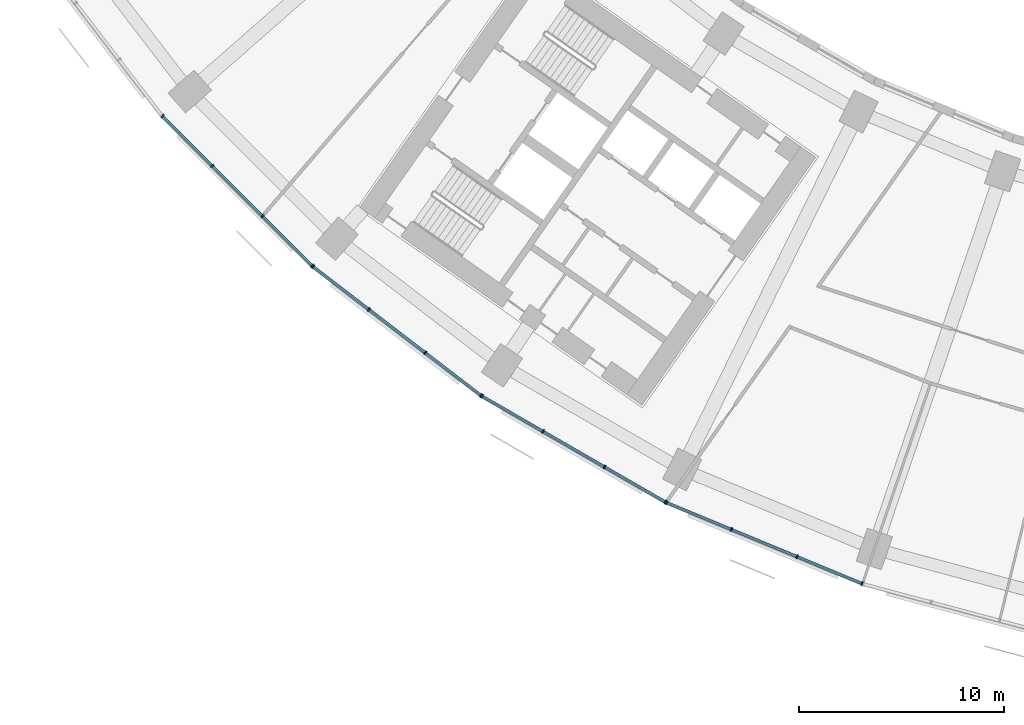
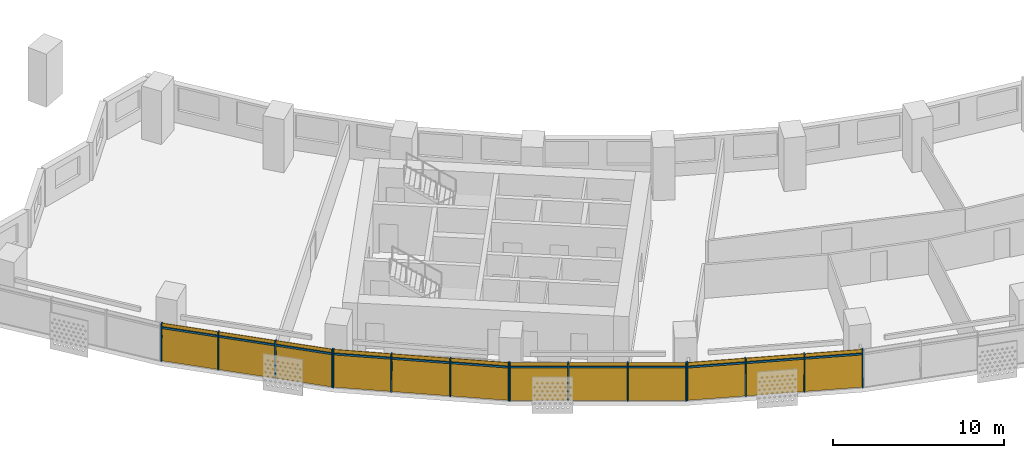
# One storey, part 18 of 31: 28 members, 4 curtain walls.
"""IFC4 building model written with IfcOpenShell, lengths in metres."""

from ifc_helpers import new_model, si_unit, direction, frame, origin, origin_2d, place, context, subcontext, project, spatial, rectangle, extrude, material, material_profile, profile_set, type_object, element, aggregate, save


model = new_model("IFC4")

# Units and contexts
model_context = context("Model", 3, precision=1e-05, world=origin(), true_north=direction((0.0, 1.0)))
body_context = subcontext(model_context, "Body", "Model", "MODEL_VIEW")
ifc_project = project(units=[si_unit("LENGTHUNIT", "METRE"), si_unit("AREAUNIT", "SQUARE_METRE"), si_unit("VOLUMEUNIT", "CUBIC_METRE"), si_unit("PLANEANGLEUNIT", "RADIAN"), si_unit("MASSUNIT", "GRAM", prefix="KILO")], contexts=[model_context])

# Member
ifc_material = material(Name="Aluminium 6063-T6 anodised", Category="aluminium")
ifc_material_profile_1 = material_profile(ifc_material, rectangle(XDim=0.199951171875, YDim=0.070068359375, at=origin_2d()))
ifc_profile_set_1 = profile_set([ifc_material_profile_1], Name="Aluminium 6063-T6 anodised")
member_type_1 = type_object("IfcMemberType", Name="Mullion 70 x 200 aluminium", PredefinedType="MULLION", material=ifc_profile_set_1)
site_placement = place(None, origin())
building_placement = place(site_placement, origin())
storey_placement = place(building_placement, frame((0.0, 0.0, 51.89990234375)))
member_1_placement = place(storey_placement, frame((-59.78857421875, -52.470947265625, 0.0), z_axis=(0.0, 0.0, 1.0), x_axis=(0.707106781187, 0.707106781187, 0.0)))
member_1 = element("IfcMember", 1, at=member_1_placement, type_object=member_type_1, Name="e-cw1-L09-out02/M00", PredefinedType="MULLION", context=body_context, shape_type="SweptSolid", body=[
    extrude(rectangle(XDim=0.199951171875, YDim=0.070068359375, at=origin_2d()), origin(), (0.0, 0.0, 1.0), 2.7001953125),
])

member_2_placement = place(storey_placement, frame((-57.357666015625, -54.90185546875, 0.0), z_axis=(0.0, 0.0, 1.0), x_axis=(0.707106781187, 0.707106781187, 0.0)))
member_2 = element("IfcMember", 2, at=member_2_placement, type_object=member_type_1, Name="e-cw1-L09-out02/M01", PredefinedType="MULLION", context=body_context, shape_type="SweptSolid", body=[
    extrude(rectangle(XDim=0.199951171875, YDim=0.070068359375, at=origin_2d()), origin(), (0.0, 0.0, 1.0), 2.7001953125),
])

member_3_placement = place(storey_placement, frame((-54.90185546875, -57.357666015625, 0.0), z_axis=(0.0, 0.0, 1.0), x_axis=(0.707106781187, 0.707106781187, 0.0)))
member_3 = element("IfcMember", 3, at=member_3_placement, type_object=member_type_1, Name="e-cw1-L09-out02/M02", PredefinedType="MULLION", context=body_context, shape_type="SweptSolid", body=[
    extrude(rectangle(XDim=0.199951171875, YDim=0.070068359375, at=origin_2d()), origin(), (0.0, 0.0, 1.0), 2.7001953125),
])

member_4_placement = place(storey_placement, frame((-52.470947265625, -59.78857421875, 0.0), z_axis=(0.0, 0.0, 1.0), x_axis=(0.707106781187, 0.707106781187, 0.0)))
member_4 = element("IfcMember", 4, at=member_4_placement, type_object=member_type_1, Name="e-cw1-L09-out02/M03", PredefinedType="MULLION", context=body_context, shape_type="SweptSolid", body=[
    extrude(rectangle(XDim=0.199951171875, YDim=0.070068359375, at=origin_2d()), origin(), (0.0, 0.0, 1.0), 2.7001953125),
])

member_5_placement = place(storey_placement, frame((-52.42822265625, -59.825927734375, 0.0), z_axis=(0.0, 0.0, 1.0), x_axis=(0.608761429009, 0.793353340291, 0.0)))
member_5 = element("IfcMember", 5, at=member_5_placement, type_object=member_type_1, Name="e-cw1-L09-out03/M00", PredefinedType="MULLION", context=body_context, shape_type="SweptSolid", body=[
    extrude(rectangle(XDim=0.199951171875, YDim=0.070068359375, at=origin_2d()), origin(), (0.0, 0.0, 1.0), 2.7001953125),
])

member_6_placement = place(storey_placement, frame((-49.70068359375, -61.9189453125, 0.0), z_axis=(0.0, 0.0, 1.0), x_axis=(0.608761429009, 0.793353340291, 0.0)))
member_6 = element("IfcMember", 6, at=member_6_placement, type_object=member_type_1, Name="e-cw1-L09-out03/M01", PredefinedType="MULLION", context=body_context, shape_type="SweptSolid", body=[
    extrude(rectangle(XDim=0.199951171875, YDim=0.070068359375, at=origin_2d()), origin(), (0.0, 0.0, 1.0), 2.7001953125),
])

member_7_placement = place(storey_placement, frame((-46.945556640625, -64.032958984375, 0.0), z_axis=(0.0, 0.0, 1.0), x_axis=(0.608761429009, 0.793353340291, 0.0)))
member_7 = element("IfcMember", 7, at=member_7_placement, type_object=member_type_1, Name="e-cw1-L09-out03/M02", PredefinedType="MULLION", context=body_context, shape_type="SweptSolid", body=[
    extrude(rectangle(XDim=0.199951171875, YDim=0.070068359375, at=origin_2d()), origin(), (0.0, 0.0, 1.0), 2.7001953125),
])

member_8_placement = place(storey_placement, frame((-44.218017578125, -66.1259765625, 0.0), z_axis=(0.0, 0.0, 1.0), x_axis=(0.608761429009, 0.793353340291, 0.0)))
member_8 = element("IfcMember", 8, at=member_8_placement, type_object=member_type_1, Name="e-cw1-L09-out03/M03", PredefinedType="MULLION", context=body_context, shape_type="SweptSolid", body=[
    extrude(rectangle(XDim=0.199951171875, YDim=0.070068359375, at=origin_2d()), origin(), (0.0, 0.0, 1.0), 2.7001953125),
])

member_9_placement = place(storey_placement, frame((-44.1708984375, -66.157470703125, 0.0), z_axis=(0.0, 0.0, 1.0), x_axis=(0.5, 0.866025403784, 0.0)))
member_9 = element("IfcMember", 9, at=member_9_placement, type_object=member_type_1, Name="e-cw1-L09-out04/M00", PredefinedType="MULLION", context=body_context, shape_type="SweptSolid", body=[
    extrude(rectangle(XDim=0.199951171875, YDim=0.070068359375, at=origin_2d()), origin(), (0.0, 0.0, 1.0), 2.7001953125),
])

member_10_placement = place(storey_placement, frame((-41.193603515625, -67.87646484375, 0.0), z_axis=(0.0, 0.0, 1.0), x_axis=(0.5, 0.866025403784, 0.0)))
member_10 = element("IfcMember", 10, at=member_10_placement, type_object=member_type_1, Name="e-cw1-L09-out04/M01", PredefinedType="MULLION", context=body_context, shape_type="SweptSolid", body=[
    extrude(rectangle(XDim=0.199951171875, YDim=0.070068359375, at=origin_2d()), origin(), (0.0, 0.0, 1.0), 2.7001953125),
])

member_11_placement = place(storey_placement, frame((-38.18603515625, -69.61279296875, 0.0), z_axis=(0.0, 0.0, 1.0), x_axis=(0.5, 0.866025403784, 0.0)))
member_11 = element("IfcMember", 11, at=member_11_placement, type_object=member_type_1, Name="e-cw1-L09-out04/M02", PredefinedType="MULLION", context=body_context, shape_type="SweptSolid", body=[
    extrude(rectangle(XDim=0.199951171875, YDim=0.070068359375, at=origin_2d()), origin(), (0.0, 0.0, 1.0), 2.7001953125),
])

member_12_placement = place(storey_placement, frame((-35.20849609375, -71.331787109375, 0.0), z_axis=(0.0, 0.0, 1.0), x_axis=(0.5, 0.866025403784, 0.0)))
member_12 = element("IfcMember", 12, at=member_12_placement, type_object=member_type_1, Name="e-cw1-L09-out04/M03", PredefinedType="MULLION", context=body_context, shape_type="SweptSolid", body=[
    extrude(rectangle(XDim=0.199951171875, YDim=0.070068359375, at=origin_2d()), origin(), (0.0, 0.0, 1.0), 2.7001953125),
])

member_13_placement = place(storey_placement, frame((-35.15771484375, -71.35693359375, 0.0), z_axis=(0.0, 0.0, 1.0), x_axis=(0.382683432365, 0.923879532511, 0.0)))
member_13 = element("IfcMember", 13, at=member_13_placement, type_object=member_type_1, Name="e-cw1-L09-out05/M00", PredefinedType="MULLION", context=body_context, shape_type="SweptSolid", body=[
    extrude(rectangle(XDim=0.199951171875, YDim=0.070068359375, at=origin_2d()), origin(), (0.0, 0.0, 1.0), 2.7001953125),
])

member_14_placement = place(storey_placement, frame((-31.9814453125, -72.672607421875, 0.0), z_axis=(0.0, 0.0, 1.0), x_axis=(0.382683432365, 0.923879532511, 0.0)))
member_14 = element("IfcMember", 14, at=member_14_placement, type_object=member_type_1, Name="e-cw1-L09-out05/M01", PredefinedType="MULLION", context=body_context, shape_type="SweptSolid", body=[
    extrude(rectangle(XDim=0.199951171875, YDim=0.070068359375, at=origin_2d()), origin(), (0.0, 0.0, 1.0), 2.7001953125),
])

member_15_placement = place(storey_placement, frame((-28.77294921875, -74.00146484375, 0.0), z_axis=(0.0, 0.0, 1.0), x_axis=(0.382683432365, 0.923879532511, 0.0)))
member_15 = element("IfcMember", 15, at=member_15_placement, type_object=member_type_1, Name="e-cw1-L09-out05/M02", PredefinedType="MULLION", context=body_context, shape_type="SweptSolid", body=[
    extrude(rectangle(XDim=0.199951171875, YDim=0.070068359375, at=origin_2d()), origin(), (0.0, 0.0, 1.0), 2.7001953125),
])

member_16_placement = place(storey_placement, frame((-25.5966796875, -75.317138671875, 0.0), z_axis=(0.0, 0.0, 1.0), x_axis=(0.382683432365, 0.923879532511, 0.0)))
member_16 = element("IfcMember", 16, at=member_16_placement, type_object=member_type_1, Name="e-cw1-L09-out05/M03", PredefinedType="MULLION", context=body_context, shape_type="SweptSolid", body=[
    extrude(rectangle(XDim=0.199951171875, YDim=0.070068359375, at=origin_2d()), origin(), (0.0, 0.0, 1.0), 2.7001953125),
])

ifc_material_profile_2 = material_profile(ifc_material, rectangle(XDim=0.139892578125, YDim=0.1201171875, at=origin_2d()))
ifc_profile_set_2 = profile_set([ifc_material_profile_2], Name="Aluminium 6063-T6 anodised")
member_type_2 = type_object("IfcMemberType", Name="Transom 120 x 140 aluminium", PredefinedType="USERDEFINED", material=ifc_profile_set_2)
member_17_placement = place(storey_placement, frame((-59.763916015625, -52.49560546875, 2.400146484375), z_axis=(0.707106781187, -0.707106781187, 0.0), x_axis=(0.707106781187, 0.707106781187, 0.0)))
member_17 = element("IfcMember", 17, at=member_17_placement, type_object=member_type_2, Name="e-cw1-L09-out02/T00", ObjectType="TRANSOM", PredefinedType="USERDEFINED", context=body_context, shape_type="SweptSolid", body=[
    extrude(rectangle(XDim=0.139892578125, YDim=0.1201171875, at=origin_2d()), origin(), (0.0, 0.0, 1.0), 3.3681640625),
])

member_18_placement = place(storey_placement, frame((-57.332763671875, -54.9267578125, 2.400146484375), z_axis=(0.707106781187, -0.707106781187, 0.0), x_axis=(0.707106781187, 0.707106781187, 0.0)))
member_18 = element("IfcMember", 18, at=member_18_placement, type_object=member_type_2, Name="e-cw1-L09-out02/T01", ObjectType="TRANSOM", PredefinedType="USERDEFINED", context=body_context, shape_type="SweptSolid", body=[
    extrude(rectangle(XDim=0.139892578125, YDim=0.1201171875, at=origin_2d()), origin(), (0.0, 0.0, 1.0), 3.402587890625),
])

member_19_placement = place(storey_placement, frame((-54.877197265625, -57.38232421875, 2.400146484375), z_axis=(0.707106781187, -0.707106781187, 0.0), x_axis=(0.707106781187, 0.707106781187, 0.0)))
member_19 = element("IfcMember", 19, at=member_19_placement, type_object=member_type_2, Name="e-cw1-L09-out02/T02", ObjectType="TRANSOM", PredefinedType="USERDEFINED", context=body_context, shape_type="SweptSolid", body=[
    extrude(rectangle(XDim=0.139892578125, YDim=0.1201171875, at=origin_2d()), origin(), (0.0, 0.0, 1.0), 3.3681640625),
])

member_20_placement = place(storey_placement, frame((-52.400390625, -59.847412109375, 2.400146484375), z_axis=(0.793375276742, -0.608732839803, 0.0), x_axis=(0.608732839803, 0.793375276742, 0.0)))
member_20 = element("IfcMember", 20, at=member_20_placement, type_object=member_type_2, Name="e-cw1-L09-out03/T00", ObjectType="TRANSOM", PredefinedType="USERDEFINED", context=body_context, shape_type="SweptSolid", body=[
    extrude(rectangle(XDim=0.139892578125, YDim=0.1201171875, at=origin_2d()), origin(), (0.0, 0.0, 1.0), 3.36767578125),
])

member_21_placement = place(storey_placement, frame((-49.673095703125, -61.940185546875, 2.400146484375), z_axis=(0.793356868815, -0.60875683052, 0.0), x_axis=(0.60875683052, 0.793356868815, 0.0)))
member_21 = element("IfcMember", 21, at=member_21_placement, type_object=member_type_2, Name="e-cw1-L09-out03/T01", ObjectType="TRANSOM", PredefinedType="USERDEFINED", context=body_context, shape_type="SweptSolid", body=[
    extrude(rectangle(XDim=0.139892578125, YDim=0.1201171875, at=origin_2d()), origin(), (0.0, 0.0, 1.0), 3.40283203125),
])

member_22_placement = place(storey_placement, frame((-46.917724609375, -64.054443359375, 2.400146484375), z_axis=(0.793375276742, -0.608732839803, 0.0), x_axis=(0.608732839803, 0.793375276742, 0.0)))
member_22 = element("IfcMember", 22, at=member_22_placement, type_object=member_type_2, Name="e-cw1-L09-out03/T02", ObjectType="TRANSOM", PredefinedType="USERDEFINED", context=body_context, shape_type="SweptSolid", body=[
    extrude(rectangle(XDim=0.139892578125, YDim=0.1201171875, at=origin_2d()), origin(), (0.0, 0.0, 1.0), 3.36767578125),
])

member_23_placement = place(storey_placement, frame((-44.140625, -66.175048828125, 2.400146484375), z_axis=(0.866044351828, -0.49996717959, 0.0), x_axis=(0.49996717959, 0.866044351828, 0.0)))
member_23 = element("IfcMember", 23, at=member_23_placement, type_object=member_type_2, Name="e-cw1-L09-out04/T00", ObjectType="TRANSOM", PredefinedType="USERDEFINED", context=body_context, shape_type="SweptSolid", body=[
    extrude(rectangle(XDim=0.139892578125, YDim=0.1201171875, at=origin_2d()), origin(), (0.0, 0.0, 1.0), 3.367919921875),
])

member_24_placement = place(storey_placement, frame((-41.163330078125, -67.893798828125, 2.400146484375), z_axis=(0.866000398227, -0.500043308395, 0.0), x_axis=(0.500043308395, 0.866000398227, 0.0)))
member_24 = element("IfcMember", 24, at=member_24_placement, type_object=member_type_2, Name="e-cw1-L09-out04/T01", ObjectType="TRANSOM", PredefinedType="USERDEFINED", context=body_context, shape_type="SweptSolid", body=[
    extrude(rectangle(XDim=0.139892578125, YDim=0.1201171875, at=origin_2d()), origin(), (0.0, 0.0, 1.0), 3.403076171875),
])

member_25_placement = place(storey_placement, frame((-38.155517578125, -69.63037109375, 2.400146484375), z_axis=(0.866026229868, -0.499998569178, 0.0), x_axis=(0.499998569178, 0.866026229868, 0.0)))
member_25 = element("IfcMember", 25, at=member_25_placement, type_object=member_type_2, Name="e-cw1-L09-out04/T02", ObjectType="TRANSOM", PredefinedType="USERDEFINED", context=body_context, shape_type="SweptSolid", body=[
    extrude(rectangle(XDim=0.139892578125, YDim=0.1201171875, at=origin_2d()), origin(), (0.0, 0.0, 1.0), 3.36767578125),
])

member_26_placement = place(storey_placement, frame((-35.125244140625, -71.370361328125, 2.400146484375), z_axis=(0.923872807855, -0.382699666719, 0.0), x_axis=(0.382699666719, 0.923872807855, 0.0)))
member_26 = element("IfcMember", 26, at=member_26_placement, type_object=member_type_2, Name="e-cw1-L09-out05/T00", ObjectType="TRANSOM", PredefinedType="USERDEFINED", context=body_context, shape_type="SweptSolid", body=[
    extrude(rectangle(XDim=0.139892578125, YDim=0.1201171875, at=origin_2d()), origin(), (0.0, 0.0, 1.0), 3.36767578125),
])

member_27_placement = place(storey_placement, frame((-31.94921875, -72.68603515625, 2.400146484375), z_axis=(0.92388567708, -0.382668597728, 0.0), x_axis=(0.382668597728, 0.92388567708, 0.0)))
member_27 = element("IfcMember", 27, at=member_27_placement, type_object=member_type_2, Name="e-cw1-L09-out05/T01", ObjectType="TRANSOM", PredefinedType="USERDEFINED", context=body_context, shape_type="SweptSolid", body=[
    extrude(rectangle(XDim=0.139892578125, YDim=0.1201171875, at=origin_2d()), origin(), (0.0, 0.0, 1.0), 3.403076171875),
])

member_28_placement = place(storey_placement, frame((-28.740478515625, -74.014892578125, 2.400146484375), z_axis=(0.923872807855, -0.382699666719, 0.0), x_axis=(0.382699666719, 0.923872807855, 0.0)))
member_28 = element("IfcMember", 28, at=member_28_placement, type_object=member_type_2, Name="e-cw1-L09-out05/T02", ObjectType="TRANSOM", PredefinedType="USERDEFINED", context=body_context, shape_type="SweptSolid", body=[
    extrude(rectangle(XDim=0.139892578125, YDim=0.1201171875, at=origin_2d()), origin(), (0.0, 0.0, 1.0), 3.36767578125),
])

# Site, building, storey
site = spatial("IfcSite", under=ifc_project, at=site_placement, CompositionType="ELEMENT")
building = spatial("IfcBuilding", under=site, at=building_placement, Name="Qamariyya Broadcast Tower", CompositionType="ELEMENT")
storey = spatial("IfcBuildingStorey", under=building, at=storey_placement, Name="L09", CompositionType="ELEMENT", Elevation=51.89990234375)

# Curtain wall
curtain_wall_type = type_object("IfcCurtainWallType", Name="Unitised curtain wall, anodised aluminium", PredefinedType="NOTDEFINED", material=ifc_material)
curtain_wall_1_placement = place(storey_placement, origin())
curtain_wall_1 = element("IfcCurtainWall", 29, at=curtain_wall_1_placement, inside=storey, type_object=curtain_wall_type, Name="e-cw1-L09-out02", PredefinedType="NOTDEFINED", context=body_context, shape_type="SweptSolid", body=[
    extrude(rectangle(XDim=3.367919921875, YDim=0.031982421875, at=origin_2d()), frame((-58.572998046875, -53.6865234375, 0.0), x_axis=(0.707106781187, -0.707106781187, 0.0)), (0.0, 0.0, 1.0), 2.340087890625),
    extrude(rectangle(XDim=3.367919921875, YDim=0.031982421875, at=origin_2d()), frame((-58.572998046875, -53.6865234375, 2.460205078125), x_axis=(0.707106781187, -0.707106781187, 0.0)), (0.0, 0.0, 1.0), 0.239990234375),
    extrude(rectangle(XDim=3.40283203125, YDim=0.031982421875, at=origin_2d()), frame((-56.1298828125, -56.1298828125, 0.0), x_axis=(0.707106781187, -0.707106781187, 0.0)), (0.0, 0.0, 1.0), 2.340087890625),
    extrude(rectangle(XDim=3.40283203125, YDim=0.031982421875, at=origin_2d()), frame((-56.1298828125, -56.1298828125, 2.460205078125), x_axis=(0.707106781187, -0.707106781187, 0.0)), (0.0, 0.0, 1.0), 0.239990234375),
    extrude(rectangle(XDim=3.367919921875, YDim=0.031982421875, at=origin_2d()), frame((-53.6865234375, -58.572998046875, 0.0), x_axis=(0.707106781187, -0.707106781187, 0.0)), (0.0, 0.0, 1.0), 2.340087890625),
    extrude(rectangle(XDim=3.367919921875, YDim=0.031982421875, at=origin_2d()), frame((-53.6865234375, -58.572998046875, 2.460205078125), x_axis=(0.707106781187, -0.707106781187, 0.0)), (0.0, 0.0, 1.0), 0.239990234375),
])

aggregate(curtain_wall_1, [member_1, member_2, member_3, member_4, member_17, member_18, member_19])

curtain_wall_2_placement = place(storey_placement, origin())
curtain_wall_2 = element("IfcCurtainWall", 30, at=curtain_wall_2_placement, inside=storey, type_object=curtain_wall_type, Name="e-cw1-L09-out03", PredefinedType="NOTDEFINED", context=body_context, shape_type="SweptSolid", body=[
    extrude(rectangle(XDim=3.367919921875, YDim=0.031982421875, at=origin_2d()), frame((-51.064453125, -60.872314453125, 0.0), x_axis=(0.79335775203, -0.608755679475, 0.0)), (0.0, 0.0, 1.0), 2.340087890625),
    extrude(rectangle(XDim=3.367919921875, YDim=0.031982421875, at=origin_2d()), frame((-51.064453125, -60.872314453125, 2.460205078125), x_axis=(0.79335775203, -0.608755679475, 0.0)), (0.0, 0.0, 1.0), 0.239990234375),
    extrude(rectangle(XDim=3.40283203125, YDim=0.031982421875, at=origin_2d()), frame((-48.3232421875, -62.97607421875, 0.0), x_axis=(0.79335775203, -0.608755679475, 0.0)), (0.0, 0.0, 1.0), 2.340087890625),
    extrude(rectangle(XDim=3.40283203125, YDim=0.031982421875, at=origin_2d()), frame((-48.3232421875, -62.97607421875, 2.460205078125), x_axis=(0.79335775203, -0.608755679475, 0.0)), (0.0, 0.0, 1.0), 0.239990234375),
    extrude(rectangle(XDim=3.367919921875, YDim=0.031982421875, at=origin_2d()), frame((-45.581787109375, -65.07958984375, 0.0), x_axis=(0.79335775203, -0.608755679475, 0.0)), (0.0, 0.0, 1.0), 2.340087890625),
    extrude(rectangle(XDim=3.367919921875, YDim=0.031982421875, at=origin_2d()), frame((-45.581787109375, -65.07958984375, 2.460205078125), x_axis=(0.79335775203, -0.608755679475, 0.0)), (0.0, 0.0, 1.0), 0.239990234375),
])

aggregate(curtain_wall_2, [member_5, member_6, member_7, member_8, member_20, member_21, member_22])

curtain_wall_3_placement = place(storey_placement, origin())
curtain_wall_3 = element("IfcCurtainWall", 31, at=curtain_wall_3_placement, inside=storey, type_object=curtain_wall_type, Name="e-cw1-L09-out04", PredefinedType="NOTDEFINED", context=body_context, shape_type="SweptSolid", body=[
    extrude(rectangle(XDim=3.367919921875, YDim=0.031982421875, at=origin_2d()), frame((-42.68212890625, -67.016845703125, 0.0), x_axis=(0.86602247392, -0.500005074639, 0.0)), (0.0, 0.0, 1.0), 2.340087890625),
    extrude(rectangle(XDim=3.367919921875, YDim=0.031982421875, at=origin_2d()), frame((-42.68212890625, -67.016845703125, 2.460205078125), x_axis=(0.86602247392, -0.500005074639, 0.0)), (0.0, 0.0, 1.0), 0.239990234375),
    extrude(rectangle(XDim=3.40283203125, YDim=0.031982421875, at=origin_2d()), frame((-39.689697265625, -68.74462890625, 0.0), x_axis=(0.86602247392, -0.500005074639, 0.0)), (0.0, 0.0, 1.0), 2.340087890625),
    extrude(rectangle(XDim=3.40283203125, YDim=0.031982421875, at=origin_2d()), frame((-39.689697265625, -68.74462890625, 2.460205078125), x_axis=(0.86602247392, -0.500005074639, 0.0)), (0.0, 0.0, 1.0), 0.239990234375),
    extrude(rectangle(XDim=3.367919921875, YDim=0.031982421875, at=origin_2d()), frame((-36.697265625, -70.472412109375, 0.0), x_axis=(0.86602247392, -0.500005074639, 0.0)), (0.0, 0.0, 1.0), 2.340087890625),
    extrude(rectangle(XDim=3.367919921875, YDim=0.031982421875, at=origin_2d()), frame((-36.697265625, -70.472412109375, 2.460205078125), x_axis=(0.86602247392, -0.500005074639, 0.0)), (0.0, 0.0, 1.0), 0.239990234375),
])

aggregate(curtain_wall_3, [member_9, member_10, member_11, member_12, member_23, member_24, member_25])

curtain_wall_4_placement = place(storey_placement, origin())
curtain_wall_4 = element("IfcCurtainWall", 32, at=curtain_wall_4_placement, inside=storey, type_object=curtain_wall_type, Name="e-cw1-L09-out05", PredefinedType="NOTDEFINED", context=body_context, shape_type="SweptSolid", body=[
    extrude(rectangle(XDim=3.367919921875, YDim=0.031982421875, at=origin_2d()), frame((-33.569580078125, -72.0146484375, 0.0), x_axis=(0.92387774222, -0.382687754482, 0.0)), (0.0, 0.0, 1.0), 2.340087890625),
    extrude(rectangle(XDim=3.367919921875, YDim=0.031982421875, at=origin_2d()), frame((-33.569580078125, -72.0146484375, 2.460205078125), x_axis=(0.92387774222, -0.382687754482, 0.0)), (0.0, 0.0, 1.0), 0.239990234375),
    extrude(rectangle(XDim=3.40283203125, YDim=0.031982421875, at=origin_2d()), frame((-30.377197265625, -73.3369140625, 0.0), x_axis=(0.92387774222, -0.382687754482, 0.0)), (0.0, 0.0, 1.0), 2.340087890625),
    extrude(rectangle(XDim=3.40283203125, YDim=0.031982421875, at=origin_2d()), frame((-30.377197265625, -73.3369140625, 2.460205078125), x_axis=(0.92387774222, -0.382687754482, 0.0)), (0.0, 0.0, 1.0), 0.239990234375),
    extrude(rectangle(XDim=3.367919921875, YDim=0.031982421875, at=origin_2d()), frame((-27.184814453125, -74.659423828125, 0.0), x_axis=(0.92387774222, -0.382687754482, 0.0)), (0.0, 0.0, 1.0), 2.340087890625),
    extrude(rectangle(XDim=3.367919921875, YDim=0.031982421875, at=origin_2d()), frame((-27.184814453125, -74.659423828125, 2.460205078125), x_axis=(0.92387774222, -0.382687754482, 0.0)), (0.0, 0.0, 1.0), 0.239990234375),
])

aggregate(curtain_wall_4, [member_13, member_14, member_15, member_16, member_26, member_27, member_28])

save(model, "model.ifc")
